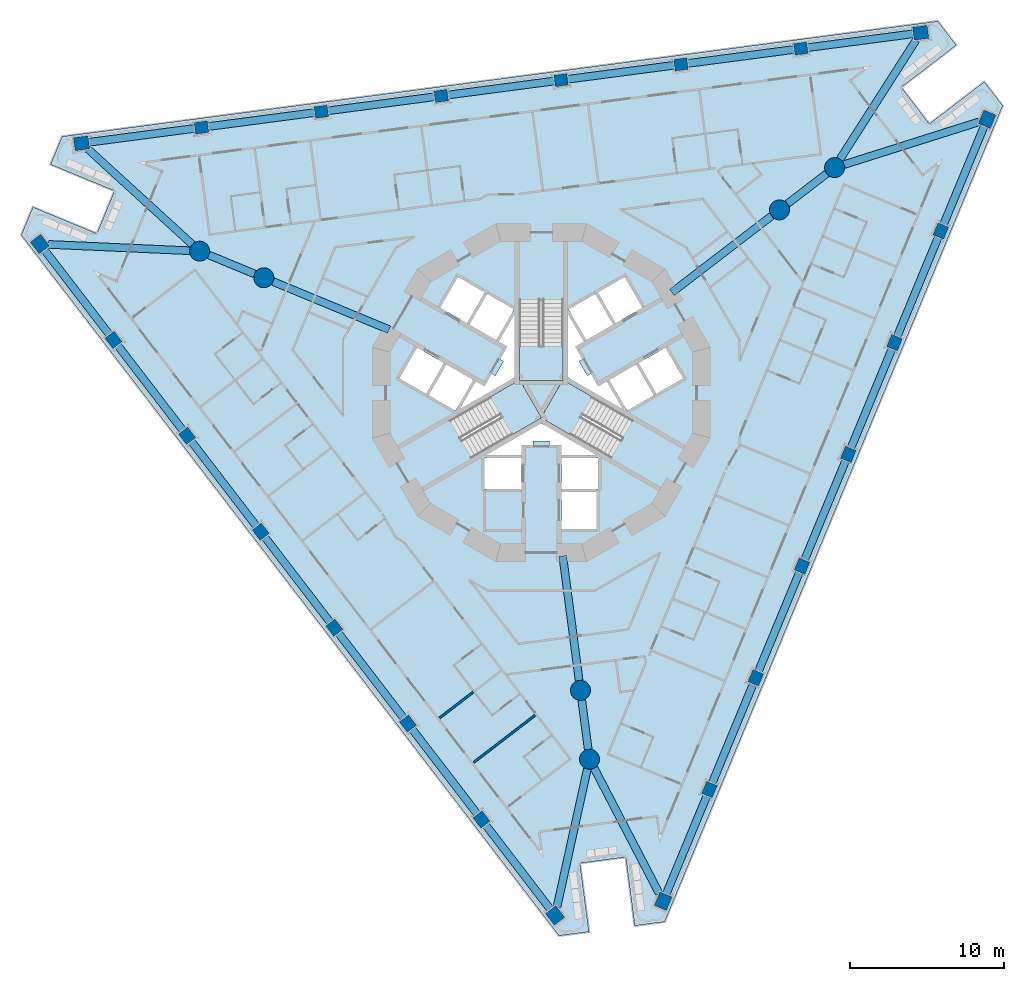
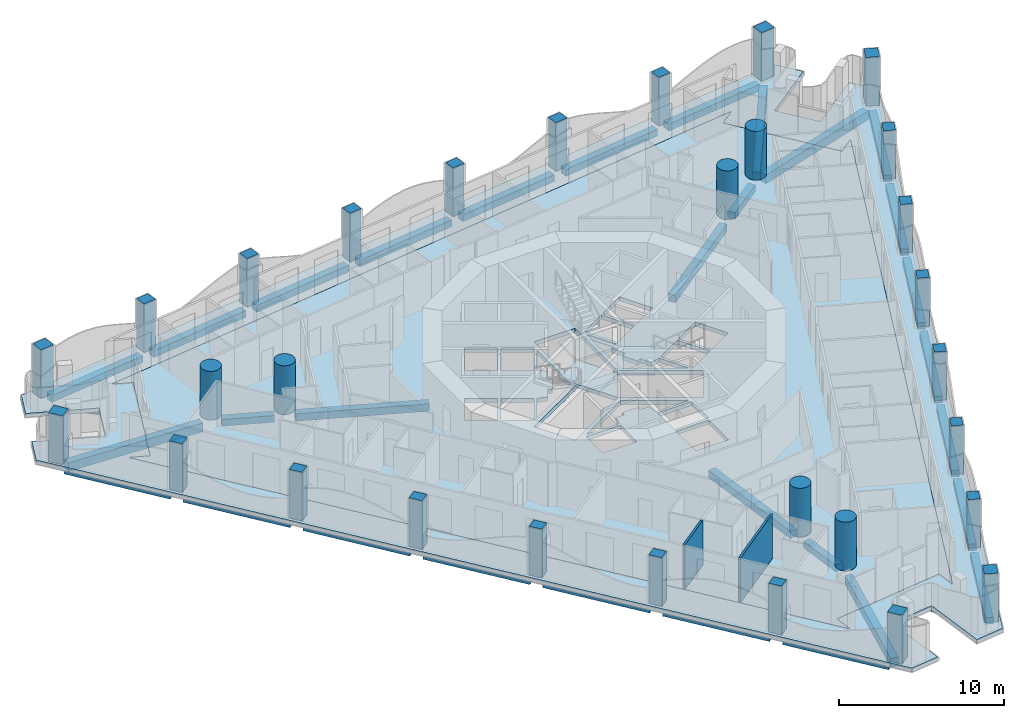
# One storey, part 1 of 19: 33 beams, 30 columns, 6 slabs, 2 walls, 3 elements without a shape of their own.
"""IFC4 building model written with IfcOpenShell, lengths in metres."""

import ifcopenshell
import ifcopenshell.guid

model = None  # the IFC model being written
_history = None  # IfcOwnerHistory: only IFC2X3 demands one
_inside = {}  # id of a spatial element -> (the spatial element, [elements in it])
_under = {}  # id of a project, library or spatial element -> (it, [spatial elements below it])
_declared = {}  # id of a project -> (the project, [libraries it declares])
_typed = {}  # id of a type object -> (the type object, [elements of that type])
_made_of = {}  # id of a material, layer set ... -> (it, [elements and type objects made of it])


def new_model(schema):
    """Start an empty IFC model of exactly this schema.

    Asked for "IFC4X3", IfcOpenShell would pick the latest addendum, in which some entities
    have other attributes; the version numbers below select the first issue.
    IFC2X3 requires an IfcOwnerHistory on every rooted entity: one is made here for all.
    """
    global model, _history
    if schema == "IFC4X3":
        model = ifcopenshell.file(schema_version=(4, 3, 0, 0))
    else:
        model = ifcopenshell.file(schema=schema)
    _inside.clear()
    _under.clear()
    _declared.clear()
    _typed.clear()
    _made_of.clear()
    _history = None
    if model.schema == "IFC2X3":
        org = make("IfcOrganization", Name="unknown")
        user = make(
            "IfcPersonAndOrganization",
            ThePerson=make("IfcPerson", FamilyName="unknown"),
            TheOrganization=org,
        )
        app = make(
            "IfcApplication",
            ApplicationDeveloper=org,
            Version="unknown",
            ApplicationFullName="unknown",
            ApplicationIdentifier="unknown",
        )
        _history = make(
            "IfcOwnerHistory",
            OwningUser=user,
            OwningApplication=app,
            ChangeAction="ADDED",
            CreationDate=0,
        )
    return model


def make(cls, **values):
    """One entity of the class cls with the attributes given. An attribute that is None is left unset."""
    return model.create_entity(
        cls, **{name: value for name, value in values.items() if value is not None}
    )


def rooted(cls, **values):
    """An entity with a GlobalId (a new one), such as an element, a storey or a relation."""
    return make(cls, GlobalId=ifcopenshell.guid.new(), OwnerHistory=_history, **values)


def si_unit(unit_type, name, prefix=None):
    """IfcSIUnit, for example si_unit("LENGTHUNIT", "METRE", prefix="MILLI")."""
    return make("IfcSIUnit", UnitType=unit_type, Prefix=prefix, Name=name)


def assignment(units):
    """IfcUnitAssignment: the units of a project."""
    return None if units is None else make("IfcUnitAssignment", Units=units)


def point(xyz):
    """IfcCartesianPoint."""
    return None if xyz is None else make("IfcCartesianPoint", Coordinates=xyz)


def direction(xyz):
    """IfcDirection."""
    return None if xyz is None else make("IfcDirection", DirectionRatios=xyz)


def frame(location, z_axis=None, x_axis=None):
    """IfcAxis2Placement3D, a coordinate frame: its origin and axes. An axis left out is left unset."""
    return make(
        "IfcAxis2Placement3D",
        Location=point(location),
        Axis=direction(z_axis),
        RefDirection=direction(x_axis),
    )


def frame_2d(location, x_axis=None):
    """IfcAxis2Placement2D, a coordinate frame in the plane: its origin and x axis."""
    return make(
        "IfcAxis2Placement2D", Location=point(location), RefDirection=direction(x_axis)
    )


def origin():
    """The frame at (0, 0, 0) with its axes left unset."""
    return frame((0.0, 0.0, 0.0))


def origin_2d():
    """The frame at (0, 0) in the plane with its x axis left unset."""
    return frame_2d((0.0, 0.0))


def place(relative_to, where):
    """IfcLocalPlacement: puts the frame where relative to a parent placement (None: the world)."""
    return make(
        "IfcLocalPlacement", PlacementRelTo=relative_to, RelativePlacement=where
    )


def context(
    kind, dimensions, precision=None, world=None, true_north=None, identifier=None
):
    """IfcGeometricRepresentationContext, for example the 3D "Model" context."""
    return make(
        "IfcGeometricRepresentationContext",
        ContextIdentifier=identifier,
        ContextType=kind,
        CoordinateSpaceDimension=dimensions,
        Precision=precision,
        WorldCoordinateSystem=world,
        TrueNorth=true_north,
    )


def subcontext(parent, identifier, kind, view, scale=None):
    """IfcGeometricRepresentationSubContext, for example "Body" below "Model"."""
    return make(
        "IfcGeometricRepresentationSubContext",
        ContextIdentifier=identifier,
        ContextType=kind,
        ParentContext=parent,
        TargetScale=scale,
        TargetView=view,
    )


def project(units=None, contexts=None):
    """IfcProject with its units and contexts."""
    return rooted(
        "IfcProject",
        Name="project",
        RepresentationContexts=contexts,
        UnitsInContext=assignment(units),
    )


def spatial(cls, under=None, at=None, **own):
    """A site, building, storey or space (cls), placed at a placement, below another one or the project."""
    s = rooted(cls, ObjectPlacement=at, **own)
    if under is not None:
        _under.setdefault(under.id(), (under, []))[1].append(s)
    return s


def polyline(points):
    """IfcPolyline through the points."""
    return make("IfcPolyline", Points=[point(p) for p in points])


def profile(cls, at=None, kind="AREA", **sizes):
    """A parametric profile (cls). Its sizes go by their IFC names, for example OverallWidth=200.0."""
    return make(cls, ProfileType=kind, Position=at, **sizes)


def rectangle(**sizes):
    """IfcRectangleProfileDef."""
    return profile("IfcRectangleProfileDef", **sizes)


def circle(**sizes):
    """IfcCircleProfileDef."""
    return profile("IfcCircleProfileDef", **sizes)


def outline(outer, holes=None, kind="AREA"):
    """IfcArbitraryClosedProfileDef: a profile drawn as a closed curve; with holes, ...WithVoids."""
    if holes is None:
        return make("IfcArbitraryClosedProfileDef", ProfileType=kind, OuterCurve=outer)
    return make(
        "IfcArbitraryProfileDefWithVoids",
        ProfileType=kind,
        OuterCurve=outer,
        InnerCurves=holes,
    )


def extrude(swept, where, along, depth):
    """IfcExtrudedAreaSolid: the profile swept, set in the frame where, extruded along a direction by depth."""
    return make(
        "IfcExtrudedAreaSolid",
        SweptArea=swept,
        Position=where,
        ExtrudedDirection=direction(along),
        Depth=depth,
    )


def shape(context_of_items, identifier, shape_type, items):
    """IfcShapeRepresentation: the items that make up one representation, for example the "Body"."""
    return make(
        "IfcShapeRepresentation",
        ContextOfItems=context_of_items,
        RepresentationIdentifier=identifier,
        RepresentationType=shape_type,
        Items=items,
    )


def material(Name=None, Category=None):
    """IfcMaterial."""
    return make("IfcMaterial", Name=Name, Category=Category)


def layer(
    of_material, thickness, ventilated=None, Name=None, Category=None, Priority=None
):
    """IfcMaterialLayer: one layer of a wall or slab, of a material (None: an air gap)."""
    return make(
        "IfcMaterialLayer",
        Material=of_material,
        LayerThickness=thickness,
        IsVentilated=ventilated,
        Name=Name,
        Category=Category,
        Priority=Priority,
    )


def layer_set(layers, Name=None):
    """IfcMaterialLayerSet."""
    return make("IfcMaterialLayerSet", MaterialLayers=layers, LayerSetName=Name)


def material_profile(
    of_material, cross_section, Name=None, Category=None, Priority=None
):
    """IfcMaterialProfile: a cross section and its material."""
    return make(
        "IfcMaterialProfile",
        Name=Name,
        Material=of_material,
        Profile=cross_section,
        Priority=Priority,
        Category=Category,
    )


def profile_set(profiles, Name=None, composite=None):
    """IfcMaterialProfileSet."""
    return make(
        "IfcMaterialProfileSet",
        Name=Name,
        MaterialProfiles=profiles,
        CompositeProfile=composite,
    )


def made_of(thing, what):
    """Note that an element or type object is made of a material, layer set ...; save() writes the relation."""
    if what is not None:
        _made_of.setdefault(what.id(), (what, []))[1].append(thing)
    return thing


def type_object(cls, material=None, **own):
    """A type object (cls), such as IfcWallType, which elements share."""
    return made_of(rooted(cls, **own), material)


def element(
    cls,
    number,
    at=None,
    inside=None,
    cuts=None,
    type_object=None,
    material=None,
    context=None,
    identifier="Body",
    shape_type=None,
    held_by="IfcProductDefinitionShape",
    body=None,
    shapes=None,
    **own,
):
    """One element of the class cls, such as IfcWall. Its Tag is "e" and its number.

    at: its placement. inside: the storey or other place that contains it. cuts: it is an
    opening in that element (IfcRelVoidsElement). A single representation is given by context,
    identifier, shape_type and body (its items); several are given by shapes. held_by: the class
    of the entity that holds the representations. save() writes the other relations.
    """
    e = rooted(cls, Tag="e%d" % number, ObjectPlacement=at, **own)
    if body is not None:
        shapes = [shape(context, identifier, shape_type, body)]
    if shapes is not None:
        e.Representation = make(held_by, Representations=shapes)
    if inside is not None:
        _inside.setdefault(inside.id(), (inside, []))[1].append(e)
    if cuts is not None:
        rooted(
            "IfcRelVoidsElement", RelatingBuildingElement=cuts, RelatedOpeningElement=e
        )
    if type_object is not None:
        _typed.setdefault(type_object.id(), (type_object, []))[1].append(e)
    return made_of(e, material)


def aggregate(whole, parts):
    """IfcRelAggregates: a whole, such as a stair, and the parts it consists of."""
    return rooted("IfcRelAggregates", RelatingObject=whole, RelatedObjects=parts)


def save(model, path):
    """Write the relations noted so far, then the file.

    IfcRelAggregates (storeys below a building ...), IfcRelContainedInSpatialStructure (elements
    in a storey), IfcRelDefinesByType, IfcRelAssociatesMaterial and IfcRelDeclares: one each for
    every whole, place, type object, material and project.
    """
    for whole, parts in _under.values():
        aggregate(whole, parts)
    for where, things in _inside.values():
        rooted(
            "IfcRelContainedInSpatialStructure",
            RelatedElements=things,
            RelatingStructure=where,
        )
    for kind, things in _typed.values():
        rooted("IfcRelDefinesByType", RelatedObjects=things, RelatingType=kind)
    for what, things in _made_of.values():
        rooted("IfcRelAssociatesMaterial", RelatedObjects=things, RelatingMaterial=what)
    for by, libraries in _declared.values():
        rooted("IfcRelDeclares", RelatingContext=by, RelatedDefinitions=libraries)
    model.write(path)


model = new_model("IFC4")

# Units and contexts
model_context = context("Model", 3, precision=1e-05, world=origin(), true_north=direction((0.0, 1.0)))
body_context = subcontext(model_context, "Body", "Model", "MODEL_VIEW")
ifc_project = project(units=[si_unit("LENGTHUNIT", "METRE"), si_unit("AREAUNIT", "SQUARE_METRE"), si_unit("VOLUMEUNIT", "CUBIC_METRE"), si_unit("PLANEANGLEUNIT", "RADIAN"), si_unit("MASSUNIT", "GRAM", prefix="KILO")], contexts=[model_context])

# Site, building, storey
site_placement = place(None, origin())
site = spatial("IfcSite", under=ifc_project, at=site_placement, CompositionType="ELEMENT")
building_placement = place(site_placement, origin())
building = spatial("IfcBuilding", under=site, at=building_placement, Name="Trine Commons Tower", CompositionType="ELEMENT")
storey_placement = place(building_placement, frame((0.0, 0.0, 61.199951171875)))
storey = spatial("IfcBuildingStorey", under=building, at=storey_placement, Name="L14", CompositionType="ELEMENT", Elevation=61.199951171875)

# Columns
ifc_material_1 = material(Name="Concrete C80/95", Category="concrete")
ifc_material_profile_1 = material_profile(ifc_material_1, rectangle(XDim=0.85009765625, YDim=0.75, at=origin_2d()), Name="RC 850x750")
ifc_profile_set_1 = profile_set([ifc_material_profile_1], Name="Concrete C80/95")
column_type_1 = type_object("IfcColumnType", Name="RC column 850x750, C80/95", PredefinedType="COLUMN", material=ifc_profile_set_1)
for number, where, z_axis, x_axis, name in (
    (1, (76.1142578125, 34.74853515625, 0.0), (0.0, 0.0, 1.0), (-0.608761429009, 0.793353340291, 0.0), "Column PC2-02 L14"),
    (2, (71.3291015625, 40.984619140625, 0.0), (0.0, 0.0, 1.0), (-0.608761429009, 0.793353340291, 0.0), "Column PC2-03 L14"),
    (3, (66.5439453125, 47.220703125, 0.0), (0.0, 0.0, 1.0), (-0.608761429009, 0.793353340291, 0.0), "Column PC2-04 L14"),
    (4, (61.7587890625, 53.45703125, 0.0), (0.0, 0.0, 1.0), (-0.608761429009, 0.793353340291, 0.0), "Column PC2-05 L14"),
    (5, (56.9736328125, 59.693115234375, 0.0), (0.0, 0.0, 1.0), (-0.608761429009, 0.793353340291, 0.0), "Column PC2-06 L14"),
    (6, (52.1884765625, 65.92919921875, 0.0), (0.0, 0.0, 1.0), (-0.608761429009, 0.793353340291, 0.0), "Column PC2-07 L14"),
    (7, (57.9091796875, 79.740966796875, 0.0), (0.0, 0.0, 1.0), (0.991444861374, 0.13052619222, 0.0), "Column PC2-10 L14"),
    (8, (65.70263671875, 80.766845703125, 0.0), (0.0, 0.0, 1.0), (0.991444861374, 0.13052619222, 0.0), "Column PC2-11 L14"),
    (9, (73.495849609375, 81.79296875, 0.0), (0.0, 0.0, 1.0), (0.991444861374, 0.13052619222, 0.0), "Column PC2-12 L14"),
    (10, (81.2890625, 82.81884765625, 0.0), (0.0, 0.0, 1.0), (0.991444861374, 0.13052619222, 0.0), "Column PC2-13 L14"),
    (11, (89.08251953125, 83.844970703125, 0.0), (0.0, 0.0, 1.0), (0.991444861374, 0.13052619222, 0.0), "Column PC2-14 L14"),
    (12, (96.875732421875, 84.870849609375, 0.0), (0.0, 0.0, 1.0), (0.991444861374, 0.13052619222, 0.0), "Column PC2-15 L14"),
    (13, (105.976318359375, 73.010498046875, 0.0), (0.0, 0.0, 1.0), (0.382683432365, 0.923879532511, 0.0), "Column PC2-18 L14"),
    (14, (102.96826171875, 65.74853515625, 0.0), (0.0, 0.0, 1.0), (0.382683432365, 0.923879532511, 0.0), "Column PC2-19 L14"),
    (15, (99.960205078125, 58.486328125, 0.0), (0.0, 0.0, 1.0), (0.382683432365, 0.923879532511, 0.0), "Column PC2-20 L14"),
    (16, (96.9521484375, 51.22412109375, 0.0), (0.0, 0.0, 1.0), (0.382683432365, 0.923879532511, 0.0), "Column PC2-21 L14"),
    (17, (93.944091796875, 43.9619140625, 0.0), (0.0, 0.0, 1.0), (0.382683432365, 0.923879532511, 0.0), "Column PC2-22 L14"),
    (18, (90.935791015625, 36.69970703125, 0.0), (0.0, 0.0, 1.0), (0.382683432365, 0.923879532511, 0.0), "Column PC2-23 L14"),
):
    element("IfcColumn", number, at=place(storey_placement, frame(where, z_axis=z_axis, x_axis=x_axis)), inside=storey, type_object=column_type_1, Name=name, PredefinedType="COLUMN", context=body_context, shape_type="SweptSolid", body=[
        extrude(rectangle(XDim=0.85009765625, YDim=0.75, at=origin_2d()), origin(), (0.0, 0.0, 1.0), 3.60009765625),
    ])
ifc_material_profile_2 = material_profile(ifc_material_1, rectangle(XDim=0.949951171875, YDim=0.85009765625, at=origin_2d()), Name="RC 950x850")
ifc_profile_set_2 = profile_set([ifc_material_profile_2], Name="Concrete C80/95")
column_type_2 = type_object("IfcColumnType", Name="RC column 950x850, C80/95", PredefinedType="COLUMN", material=ifc_profile_set_2)
for number, where, z_axis, x_axis, name in (
    (19, (80.8994140625, 28.51220703125, 0.0), (0.0, 0.0, 1.0), (-0.608761429009, 0.793353340291, 0.0), "Column PC2-01 L14"),
    (20, (47.4033203125, 72.16552734375, 0.0), (0.0, 0.0, 1.0), (-0.608761429009, 0.793353340291, 0.0), "Column PC2-08 L14"),
    (21, (50.1162109375, 78.71484375, 0.0), (0.0, 0.0, 1.0), (0.991444861374, 0.13052619222, 0.0), "Column PC2-09 L14"),
    (22, (104.6689453125, 85.89697265625, 0.0), (0.0, 0.0, 1.0), (0.991444861374, 0.13052619222, 0.0), "Column PC2-16 L14"),
    (23, (108.984375, 80.272705078125, 0.0), (0.0, 0.0, 1.0), (0.382683432365, 0.923879532511, 0.0), "Column PC2-17 L14"),
    (24, (87.927734375, 29.4375, 0.0), (0.0, 0.0, 1.0), (0.382683432365, 0.923879532511, 0.0), "Column PC2-24 L14"),
):
    element("IfcColumn", number, at=place(storey_placement, frame(where, z_axis=z_axis, x_axis=x_axis)), inside=storey, type_object=column_type_2, Name=name, PredefinedType="COLUMN", context=body_context, shape_type="SweptSolid", body=[
        extrude(rectangle(XDim=0.949951171875, YDim=0.85009765625, at=origin_2d()), origin(), (0.0, 0.0, 1.0), 3.60009765625),
    ])
ifc_material_profile_3 = material_profile(ifc_material_1, circle(Radius=0.64990234375, at=origin_2d()), Name="RC round 1300")
ifc_profile_set_3 = profile_set([ifc_material_profile_3], Name="Concrete C80/95")
column_type_3 = type_object("IfcColumnType", Name="RC round column 1300 mm, C80/95", PredefinedType="COLUMN", material=ifc_profile_set_3)
for number, where, z_axis, x_axis, name in (
    (25, (82.548095703125, 43.14453125, 0.0), (0.0, 0.0, 1.0), (1.0, 0.0, 0.0), "Column WC2-1 L14"),
    (26, (83.1376953125, 38.6669921875, 0.0), (0.0, 0.0, 1.0), (1.0, 0.0, 0.0), "Column WC2-2 L14"),
    (27, (95.48828125, 74.384521484375, 0.0), (0.0, 0.0, 1.0), (1.0, 0.0, 0.0), "Column WC2-3 L14"),
    (28, (99.071044921875, 77.1337890625, 0.0), (0.0, 0.0, 1.0), (1.0, 0.0, 0.0), "Column WC2-4 L14"),
    (29, (61.963623046875, 69.970947265625, 0.0), (0.0, 0.0, 1.0), (1.0, 0.0, 0.0), "Column WC2-5 L14"),
    (30, (57.791259765625, 71.69921875, 0.0), (0.0, 0.0, 1.0), (1.0, 0.0, 0.0), "Column WC2-6 L14"),
):
    element("IfcColumn", number, at=place(storey_placement, frame(where, z_axis=z_axis, x_axis=x_axis)), inside=storey, type_object=column_type_3, Name=name, PredefinedType="COLUMN", context=body_context, shape_type="SweptSolid", body=[
        extrude(circle(Radius=0.64990234375, at=origin_2d()), origin(), (0.0, 0.0, 1.0), 3.60009765625),
    ])

# Beams
ifc_material_2 = material(Name="Concrete C50/60", Category="concrete")
ifc_material_profile_4 = material_profile(ifc_material_2, rectangle(XDim=0.5, YDim=0.5, at=origin_2d()), Name="RC 500x500")
ifc_profile_set_4 = profile_set([ifc_material_profile_4], Name="Concrete C50/60")
beam_type_1 = type_object("IfcBeamType", Name="RC beam 500x500, C50/60", PredefinedType="BEAM", material=ifc_profile_set_4)
beam_1_placement = place(storey_placement, frame((80.6103515625, 28.88916015625, -0.550048828125), z_axis=(-0.608757694977, 0.793356205501, 0.0), x_axis=(-0.793356205501, -0.608757694977, 0.0)))
element("IfcBeam", 31, at=beam_1_placement, inside=storey, type_object=beam_type_1, Name="Beam EB2-01 L14", PredefinedType="BEAM", context=body_context, shape_type="SweptSolid", body=[
    extrude(rectangle(XDim=0.5, YDim=0.5, at=origin_2d()), origin(), (0.0, 0.0, 1.0), 6.960693359375),
])
beam_2_placement = place(storey_placement, frame((75.855712890625, 35.085693359375, -0.550048828125), z_axis=(-0.608772912064, 0.793344528901, 0.0), x_axis=(-0.793344528901, -0.608772912064, 0.0)))
element("IfcBeam", 32, at=beam_2_placement, inside=storey, type_object=beam_type_1, Name="Beam EB2-02 L14", PredefinedType="BEAM", context=body_context, shape_type="SweptSolid", body=[
    extrude(rectangle(XDim=0.5, YDim=0.5, at=origin_2d()), origin(), (0.0, 0.0, 1.0), 7.010498046875),
])
beam_3_placement = place(storey_placement, frame((71.0703125, 41.322021484375, -0.550048828125), z_axis=(-0.608767812441, 0.793348442071, 0.0), x_axis=(-0.793348442071, -0.608767812441, 0.0)))
element("IfcBeam", 33, at=beam_3_placement, inside=storey, type_object=beam_type_1, Name="Beam EB2-03 L14", PredefinedType="BEAM", context=body_context, shape_type="SweptSolid", body=[
    extrude(rectangle(XDim=0.5, YDim=0.5, at=origin_2d()), origin(), (0.0, 0.0, 1.0), 7.01025390625),
])
for number, where, z_axis, x_axis, name in (
    (34, (66.285400390625, 47.55810546875, -0.550048828125), (-0.608772912064, 0.793344528901, 0.0), (-0.793344528901, -0.608772912064, 0.0), "Beam EB2-04 L14"),
    (35, (61.5, 53.794189453125, -0.550048828125), (-0.608750992772, 0.793361348188, 0.0), (-0.793361348188, -0.608750992772, 0.0), "Beam EB2-05 L14"),
):
    element("IfcBeam", number, at=place(storey_placement, frame(where, z_axis=z_axis, x_axis=x_axis)), inside=storey, type_object=beam_type_1, Name=name, PredefinedType="BEAM", context=body_context, shape_type="SweptSolid", body=[
        extrude(rectangle(XDim=0.5, YDim=0.5, at=origin_2d()), origin(), (0.0, 0.0, 1.0), 7.010498046875),
    ])
beam_4_placement = place(storey_placement, frame((56.71484375, 60.030517578125, -0.550048828125), z_axis=(-0.608789731625, 0.793331622128, 0.0), x_axis=(-0.793331622128, -0.608789731625, 0.0)))
element("IfcBeam", 36, at=beam_4_placement, inside=storey, type_object=beam_type_1, Name="Beam EB2-06 L14", PredefinedType="BEAM", context=body_context, shape_type="SweptSolid", body=[
    extrude(rectangle(XDim=0.5, YDim=0.5, at=origin_2d()), origin(), (0.0, 0.0, 1.0), 7.01025390625),
])
beam_5_placement = place(storey_placement, frame((51.9296875, 66.2666015625, -0.550048828125), z_axis=(-0.608757694977, 0.793356205501, 0.0), x_axis=(-0.793356205501, -0.608757694977, 0.0)))
element("IfcBeam", 37, at=beam_5_placement, inside=storey, type_object=beam_type_1, Name="Beam EB2-07 L14", PredefinedType="BEAM", context=body_context, shape_type="SweptSolid", body=[
    extrude(rectangle(XDim=0.5, YDim=0.5, at=origin_2d()), origin(), (0.0, 0.0, 1.0), 6.960693359375),
])
beam_6_placement = place(storey_placement, frame((50.5869140625, 78.77685546875, -0.550048828125), z_axis=(0.991446175382, 0.130516210946, 0.0), x_axis=(-0.130516210946, 0.991446175382, 0.0)))
element("IfcBeam", 38, at=beam_6_placement, inside=storey, type_object=beam_type_1, Name="Beam EB2-08 L14", PredefinedType="BEAM", context=body_context, shape_type="SweptSolid", body=[
    extrude(rectangle(XDim=0.5, YDim=0.5, at=origin_2d()), origin(), (0.0, 0.0, 1.0), 6.96044921875),
])
for number, where, z_axis, x_axis, name in (
    (39, (58.330810546875, 79.79638671875, -0.550048828125), (0.991444928767, 0.13052568032, 0.0), (-0.13052568032, 0.991444928767, 0.0), "Beam EB2-09 L14"),
    (40, (66.1240234375, 80.822509765625, -0.550048828125), (0.99144943492, 0.130491447984, 0.0), (-0.130491447984, 0.99144943492, 0.0), "Beam EB2-10 L14"),
    (41, (73.917236328125, 81.848388671875, -0.550048828125), (0.991444928767, 0.13052568032, 0.0), (-0.13052568032, 0.991444928767, 0.0), "Beam EB2-11 L14"),
    (42, (81.71044921875, 82.87451171875, -0.550048828125), (0.99144943492, 0.130491447984, 0.0), (-0.130491447984, 0.99144943492, 0.0), "Beam EB2-12 L14"),
    (43, (89.50390625, 83.900390625, -0.550048828125), (0.991444928767, 0.13052568032, 0.0), (-0.13052568032, 0.991444928767, 0.0), "Beam EB2-13 L14"),
):
    element("IfcBeam", number, at=place(storey_placement, frame(where, z_axis=z_axis, x_axis=x_axis)), inside=storey, type_object=beam_type_1, Name=name, PredefinedType="BEAM", context=body_context, shape_type="SweptSolid", body=[
        extrude(rectangle(XDim=0.5, YDim=0.5, at=origin_2d()), origin(), (0.0, 0.0, 1.0), 7.010498046875),
    ])
for number, where, z_axis, x_axis, name in (
    (44, (97.297119140625, 84.926513671875, -0.550048828125), (0.991446175382, 0.130516210946, 0.0), (-0.130516210946, 0.991446175382, 0.0), "Beam EB2-14 L14"),
    (45, (108.802490234375, 79.833984375, -0.550048828125), (-0.382671898974, -0.923884309714, 0.0), (0.923884309714, -0.382671898974, 0.0), "Beam EB2-15 L14"),
):
    element("IfcBeam", number, at=place(storey_placement, frame(where, z_axis=z_axis, x_axis=x_axis)), inside=storey, type_object=beam_type_1, Name=name, PredefinedType="BEAM", context=body_context, shape_type="SweptSolid", body=[
        extrude(rectangle(XDim=0.5, YDim=0.5, at=origin_2d()), origin(), (0.0, 0.0, 1.0), 6.96044921875),
    ])
beam_7_placement = place(storey_placement, frame((105.813720703125, 72.617919921875, -0.550048828125), z_axis=(-0.382693194178, -0.923875488976, 0.0), x_axis=(0.923875488976, -0.382693194178, 0.0)))
element("IfcBeam", 46, at=beam_7_placement, inside=storey, type_object=beam_type_1, Name="Beam EB2-16 L14", PredefinedType="BEAM", context=body_context, shape_type="SweptSolid", body=[
    extrude(rectangle(XDim=0.5, YDim=0.5, at=origin_2d()), origin(), (0.0, 0.0, 1.0), 7.010498046875),
])
for number, where, z_axis, x_axis, name in (
    (47, (102.8056640625, 65.35595703125, -0.550048828125), (-0.382680881742, -0.92388058901, 0.0), (0.92388058901, -0.382680881742, 0.0), "Beam EB2-17 L14"),
    (48, (99.797607421875, 58.09375, -0.550048828125), (-0.382680881742, -0.92388058901, 0.0), (0.92388058901, -0.382680881742, 0.0), "Beam EB2-18 L14"),
    (49, (96.78955078125, 50.83154296875, -0.550048828125), (-0.382680881742, -0.92388058901, 0.0), (0.92388058901, -0.382680881742, 0.0), "Beam EB2-19 L14"),
    (50, (93.781494140625, 43.5693359375, -0.550048828125), (-0.382710605355, -0.923868276622, 0.0), (0.923868276622, -0.382710605355, 0.0), "Beam EB2-20 L14"),
):
    element("IfcBeam", number, at=place(storey_placement, frame(where, z_axis=z_axis, x_axis=x_axis)), inside=storey, type_object=beam_type_1, Name=name, PredefinedType="BEAM", context=body_context, shape_type="SweptSolid", body=[
        extrude(rectangle(XDim=0.5, YDim=0.5, at=origin_2d()), origin(), (0.0, 0.0, 1.0), 7.0107421875),
    ])
beam_8_placement = place(storey_placement, frame((90.773193359375, 36.30712890625, -0.550048828125), z_axis=(-0.382671898974, -0.923884309714, 0.0), x_axis=(0.923884309714, -0.382671898974, 0.0)))
element("IfcBeam", 51, at=beam_8_placement, inside=storey, type_object=beam_type_1, Name="Beam EB2-21 L14", PredefinedType="BEAM", context=body_context, shape_type="SweptSolid", body=[
    extrude(rectangle(XDim=0.5, YDim=0.5, at=origin_2d()), origin(), (0.0, 0.0, 1.0), 6.96044921875),
])
beam_9_placement = place(storey_placement, frame((82.633056640625, 42.500732421875, -0.550048828125), z_axis=(0.130513398023, -0.991446545678, 0.0), x_axis=(0.991446545678, 0.130513398023, 0.0)))
element("IfcBeam", 52, at=beam_9_placement, inside=storey, type_object=beam_type_1, Name="Beam RB2-02 L14", PredefinedType="BEAM", context=body_context, shape_type="SweptSolid", body=[
    extrude(rectangle(XDim=0.5, YDim=0.5, at=origin_2d()), origin(), (0.0, 0.0, 1.0), 3.217529296875),
])
beam_10_placement = place(storey_placement, frame((96.00341796875, 74.77978515625, -0.550048828125), z_axis=(0.793368133848, 0.608742149185, 0.0), x_axis=(-0.608742149185, 0.793368133848, 0.0)))
element("IfcBeam", 53, at=beam_10_placement, inside=storey, type_object=beam_type_1, Name="Beam RB2-04 L14", PredefinedType="BEAM", context=body_context, shape_type="SweptSolid", body=[
    extrude(rectangle(XDim=0.5, YDim=0.5, at=origin_2d()), origin(), (0.0, 0.0, 1.0), 3.21728515625),
])
beam_11_placement = place(storey_placement, frame((61.363037109375, 70.2197265625, -0.550048828125), z_axis=(-0.923878970326, 0.382684789598, 0.0), x_axis=(-0.382684789598, -0.923878970326, 0.0)))
element("IfcBeam", 54, at=beam_11_placement, inside=storey, type_object=beam_type_1, Name="Beam RB2-06 L14", PredefinedType="BEAM", context=body_context, shape_type="SweptSolid", body=[
    extrude(rectangle(XDim=0.5, YDim=0.5, at=origin_2d()), origin(), (0.0, 0.0, 1.0), 3.216064453125),
])
ifc_material_profile_5 = material_profile(ifc_material_2, rectangle(XDim=0.5, YDim=0.550048828125, at=origin_2d()), Name="RC 500x550")
ifc_profile_set_5 = profile_set([ifc_material_profile_5], Name="Concrete C50/60")
beam_type_2 = type_object("IfcBeamType", Name="RC beam 500x550, C50/60", PredefinedType="BEAM", material=ifc_profile_set_5)
for number, where, z_axis, x_axis, name in (
    (55, (81.3974609375, 51.885009765625, -0.574951171875), (0.13051869661, -0.991445848161, 0.0), (0.991445848161, 0.13051869661, 0.0), "Beam RB2-01 L14"),
    (56, (88.494140625, 69.017578125, -0.574951171875), (0.79334357443, 0.608774155916, 0.0), (-0.608774155916, 0.79334357443, 0.0), "Beam RB2-03 L14"),
):
    element("IfcBeam", number, at=place(storey_placement, frame(where, z_axis=z_axis, x_axis=x_axis)), inside=storey, type_object=beam_type_2, Name=name, PredefinedType="BEAM", context=body_context, shape_type="SweptSolid", body=[
        extrude(rectangle(XDim=0.5, YDim=0.550048828125, at=origin_2d()), origin(), (0.0, 0.0, 1.0), 8.166748046875),
    ])
beam_12_placement = place(storey_placement, frame((70.1083984375, 66.59716796875, -0.574951171875), z_axis=(-0.923875444746, 0.382693300953, 0.0), x_axis=(-0.382693300953, -0.923875444746, 0.0)))
element("IfcBeam", 57, at=beam_12_placement, inside=storey, type_object=beam_type_2, Name="Beam RB2-05 L14", PredefinedType="BEAM", context=body_context, shape_type="SweptSolid", body=[
    extrude(rectangle(XDim=0.5, YDim=0.550048828125, at=origin_2d()), origin(), (0.0, 0.0, 1.0), 8.165771484375),
])
ifc_material_profile_6 = material_profile(ifc_material_2, rectangle(XDim=0.5, YDim=0.64990234375, at=origin_2d()), Name="RC 500x650")
ifc_profile_set_6 = profile_set([ifc_material_profile_6], Name="Concrete C50/60")
beam_type_3 = type_object("IfcBeamType", Name="RC beam 500x650, C50/60", PredefinedType="BEAM", material=ifc_profile_set_6)
for number, where, z_axis, x_axis, name in (
    (58, (47.9580078125, 72.140625, -0.625), (0.998993680757, -0.044851151696, 0.0), (0.044851151696, 0.998993680757, 0.0), "Beam CB2-01 L14"),
    (59, (50.52587890625, 78.340087890625, -0.625), (0.738114574549, -0.674675384788, 0.0), (0.674675384788, 0.738114574549, 0.0), "Beam CB2-02 L14"),
    (60, (104.369873046875, 85.428955078125, -0.625), (-0.538318035677, -0.842741770927, 0.0), (0.842741770927, -0.538318035677, 0.0), "Beam CB2-03 L14"),
):
    element("IfcBeam", number, at=place(storey_placement, frame(where, z_axis=z_axis, x_axis=x_axis)), inside=storey, type_object=beam_type_3, Name=name, PredefinedType="BEAM", context=body_context, shape_type="SweptSolid", body=[
        extrude(rectangle(XDim=0.5, YDim=0.64990234375, at=origin_2d()), origin(), (0.0, 0.0, 1.0), 9.19384765625),
    ])
beam_13_placement = place(storey_placement, frame((108.454833984375, 80.10498046875, -0.625), z_axis=(-0.953349995529, -0.301867166193, 0.0), x_axis=(0.301867166193, -0.953349995529, 0.0)))
element("IfcBeam", 61, at=beam_13_placement, inside=storey, type_object=beam_type_3, Name="Beam CB2-04 L14", PredefinedType="BEAM", context=body_context, shape_type="SweptSolid", body=[
    extrude(rectangle(XDim=0.5, YDim=0.64990234375, at=origin_2d()), origin(), (0.0, 0.0, 1.0), 9.193359375),
])
for number, where, z_axis, x_axis, name in (
    (62, (87.672119140625, 29.930419921875, -0.625), (-0.460652760363, 0.887580438253, 0.0), (-0.887580438253, -0.460652760363, 0.0), "Beam CB2-05 L14"),
    (63, (81.01904296875, 29.0546875, -0.625), (0.215234621965, 0.976562367444, 0.0), (-0.976562367444, 0.215234621965, 0.0), "Beam CB2-06 L14"),
):
    element("IfcBeam", number, at=place(storey_placement, frame(where, z_axis=z_axis, x_axis=x_axis)), inside=storey, type_object=beam_type_3, Name=name, PredefinedType="BEAM", context=body_context, shape_type="SweptSolid", body=[
        extrude(rectangle(XDim=0.5, YDim=0.64990234375, at=origin_2d()), origin(), (0.0, 0.0, 1.0), 9.193603515625),
    ])

# Slabs
ifc_layer_1 = layer(ifc_material_2, 0.300048828125)
ifc_layer_set_1 = layer_set([ifc_layer_1], Name="Concrete C50/60")
slab_type_1 = type_object("IfcSlabType", Name="Loggia slab 300 mm, C50/60", PredefinedType="FLOOR", material=ifc_layer_set_1)
slab_1_placement = place(storey_placement, frame((0.0, 0.0, -0.300048828125)))
element("IfcSlab", 64, at=slab_1_placement, inside=storey, type_object=slab_type_1, Name="Loggia slab L14", PredefinedType="FLOOR", context=body_context, shape_type="SweptSolid", body=[
    extrude(outline(polyline([(88.02294921875, 28.099365234375), (109.998046875, 81.15185546875), (108.80224609375, 82.710205078125), (105.232177734375, 79.970703125), (103.406005859375, 82.3505859375), (106.97607421875, 85.090087890625), (105.780517578125, 86.6484375), (48.847900390625, 79.153076171875), (48.096435546875, 77.33837890625), (52.25390625, 75.616455078125), (51.105712890625, 72.8447265625), (46.948486328125, 74.56689453125), (46.19677734375, 72.752197265625), (81.154052734375, 27.195068359375), (83.101318359375, 27.451416015625), (82.513916015625, 31.912841796875), (85.48828125, 32.304443359375), (86.07568359375, 27.843017578125), (88.02294921875, 28.099365234375)]), holes=[polyline([(79.99658203125, 32.6455078125), (79.8212890625, 33.97900390625), (87.554443359375, 34.997314453125), (87.72998046875, 33.663818359375), (105.856201171875, 77.42431640625), (104.789306640625, 76.605712890625), (100.041015625, 82.793701171875), (101.10791015625, 83.612548828125), (54.14697265625, 77.429931640625), (55.3896484375, 76.915283203125), (52.40478515625, 69.708984375), (51.162109375, 70.2236328125), (79.99658203125, 32.6455078125)])]), origin(), (0.0, 0.0, 1.0), 0.300048828125),
])
ifc_layer_2 = layer(ifc_material_2, 0.300048828125)
ifc_layer_set_2 = layer_set([ifc_layer_2], Name="Concrete C50/60")
slab_type_2 = type_object("IfcSlabType", Name="PT flat slab 300 mm, C50/60", PredefinedType="FLOOR", material=ifc_layer_set_2)
slab_2_placement = place(storey_placement, frame((0.0, 0.0, -0.300048828125)))
element("IfcSlab", 65, at=slab_2_placement, inside=storey, type_object=slab_type_2, Name="Floor slab L14", PredefinedType="FLOOR", context=body_context, shape_type="SweptSolid", body=[
    extrude(outline(polyline([(51.162109375, 70.2236328125), (79.99658203125, 32.6455078125), (79.8212890625, 33.97900390625), (87.554443359375, 34.997314453125), (87.72998046875, 33.663818359375), (105.856201171875, 77.42431640625), (104.789306640625, 76.605712890625), (100.041015625, 82.793701171875), (101.10791015625, 83.612548828125), (54.14697265625, 77.429931640625), (55.3896484375, 76.915283203125), (52.40478515625, 69.708984375), (51.162109375, 70.2236328125)]), holes=[polyline([(76.300048828125, 56.25), (78.699951171875, 56.25), (78.699951171875, 58.25), (76.300048828125, 58.25), (76.300048828125, 56.25)]), polyline([(81.14990234375, 59.10009765625), (81.300048828125, 58.449951171875), (83.56494140625, 58.449951171875), (80.0, 60.508056640625), (76.43505859375, 58.449951171875), (78.699951171875, 58.449951171875), (78.85009765625, 59.10009765625), (79.449951171875, 59.10009765625), (79.449951171875, 59.360107421875), (80.550048828125, 59.360107421875), (80.550048828125, 59.10009765625), (81.14990234375, 59.10009765625)]), polyline([(80.0, 60.8544921875), (84.4755859375, 58.2705078125), (85.900390625, 60.73876953125), (81.425048828125, 63.32275390625), (81.425048828125, 68.490478515625), (78.574951171875, 68.490478515625), (78.574951171875, 63.32275390625), (74.099609375, 60.73876953125), (75.5244140625, 58.2705078125), (80.0, 60.8544921875)]), polyline([(73.83740234375, 64.325927734375), (72.687255859375, 62.333984375), (74.41943359375, 61.333984375), (75.5693359375, 63.325927734375), (73.83740234375, 64.325927734375)]), polyline([(71.93212890625, 65.426025390625), (70.781982421875, 63.43408203125), (72.51416015625, 62.43408203125), (73.6640625, 64.426025390625), (71.93212890625, 65.426025390625)]), polyline([(76.781005859375, 63.722900390625), (76.381103515625, 63.031005859375), (75.742919921875, 63.22607421875), (74.7099609375, 61.43798828125), (78.27490234375, 63.49609375), (78.27490234375, 67.612060546875), (77.242919921875, 65.823974609375), (77.73095703125, 65.368896484375), (77.3310546875, 64.676025390625), (77.555908203125, 64.5458984375), (77.006103515625, 63.593994140625), (76.781005859375, 63.722900390625)]), polyline([(76.4873046875, 68.916015625), (75.33740234375, 66.924072265625), (77.0693359375, 65.924072265625), (78.219482421875, 67.916015625), (76.4873046875, 68.916015625)]), polyline([(74.58203125, 70.015869140625), (73.43212890625, 68.02392578125), (75.1640625, 67.02392578125), (76.314208984375, 69.015869140625), (74.58203125, 70.015869140625)]), polyline([(81.300048828125, 53.64990234375), (83.60009765625, 53.64990234375), (83.60009765625, 56.050048828125), (81.300048828125, 56.050048828125), (81.300048828125, 53.64990234375)]), polyline([(81.300048828125, 56.25), (83.699951171875, 56.25), (83.699951171875, 58.25), (81.300048828125, 58.25), (81.300048828125, 56.25)]), polyline([(87.312744140625, 62.333984375), (86.16259765625, 64.325927734375), (84.4306640625, 63.325927734375), (85.58056640625, 61.333984375), (87.312744140625, 62.333984375)]), polyline([(89.218017578125, 63.43408203125), (88.06787109375, 65.426025390625), (86.3359375, 64.426025390625), (87.48583984375, 62.43408203125), (89.218017578125, 63.43408203125)]), polyline([(83.243896484375, 63.738037109375), (82.993896484375, 63.593994140625), (82.444091796875, 64.5458984375), (82.72705078125, 64.7099609375), (82.281005859375, 65.549072265625), (82.757080078125, 65.823974609375), (81.72509765625, 67.612060546875), (81.72509765625, 63.49609375), (85.2900390625, 61.43798828125), (84.257080078125, 63.22607421875), (83.618896484375, 63.031005859375), (83.243896484375, 63.738037109375)]), polyline([(82.9306640625, 65.924072265625), (84.66259765625, 66.924072265625), (83.5126953125, 68.916015625), (81.780517578125, 67.916015625), (82.9306640625, 65.924072265625)]), polyline([(84.8359375, 67.02392578125), (86.56787109375, 68.02392578125), (85.41796875, 70.015869140625), (83.685791015625, 69.015869140625), (84.8359375, 67.02392578125)])]), origin(), (0.0, 0.0, 1.0), 0.300048828125),
])
slab_3_placement = place(storey_placement, frame((0.0, 0.0, -0.300048828125)))
element("IfcSlab", 66, at=slab_3_placement, inside=storey, type_object=slab_type_2, Name="Floor slab L14 2", PredefinedType="FLOOR", context=body_context, shape_type="SweptSolid", body=[
    extrude(outline(polyline([(78.61328125, 63.300537109375), (80.0, 60.89892578125), (81.38671875, 63.300537109375), (78.61328125, 63.300537109375)])), origin(), (0.0, 0.0, 1.0), 0.300048828125),
])

# Stair, slab
stair_type = type_object("IfcStairType", Name="Exit stair, dog-leg, 24 risers of 150 mm", PredefinedType="HALF_TURN_STAIR", material=ifc_material_2)
stair_1_placement = place(storey_placement, origin())
stair_1 = element("IfcStair", 67, at=stair_1_placement, inside=storey, type_object=stair_type, Name="L14 Exit stair ST1A", PredefinedType="HALF_TURN_STAIR")
ifc_layer_3 = layer(ifc_material_2, 0.199951171875)
ifc_layer_set_3 = layer_set([ifc_layer_3], Name="Concrete C50/60")
slab_type_3 = type_object("IfcSlabType", Name="Stair landing slab 200 mm, C50/60", PredefinedType="LANDING", material=ifc_layer_set_3)
slab_4_placement = place(storey_placement, frame((0.0, 0.0, 1.60009765625)))
slab_4 = element("IfcSlab", 68, at=slab_4_placement, type_object=slab_type_3, Name="ST1A landing 1", PredefinedType="LANDING", context=body_context, shape_type="SweptSolid", body=[
    extrude(outline(polyline([(78.574951171875, 65.570556640625), (78.574951171875, 63.300537109375), (81.425048828125, 63.300537109375), (81.425048828125, 65.570556640625), (78.574951171875, 65.570556640625)])), origin(), (0.0, 0.0, 1.0), 0.199951171875),
])
aggregate(stair_1, [slab_4])

stair_2_placement = place(storey_placement, origin())
stair_2 = element("IfcStair", 69, at=stair_2_placement, inside=storey, type_object=stair_type, Name="L14 Exit stair ST2A", PredefinedType="HALF_TURN_STAIR")
slab_5_placement = place(storey_placement, frame((0.0, 0.0, 1.60009765625)))
slab_5 = element("IfcSlab", 70, at=slab_5_placement, type_object=slab_type_3, Name="ST2A landing 1", PredefinedType="LANDING", context=body_context, shape_type="SweptSolid", body=[
    extrude(outline(polyline([(78.05322265625, 59.730712890625), (80.019287109375, 60.86572265625), (78.59423828125, 63.333740234375), (76.628173828125, 62.19873046875), (78.05322265625, 59.730712890625)])), origin(), (0.0, 0.0, 1.0), 0.199951171875),
])
aggregate(stair_2, [slab_5])

stair_3_placement = place(storey_placement, origin())
stair_3 = element("IfcStair", 71, at=stair_3_placement, inside=storey, type_object=stair_type, Name="L14 Exit stair ST3A", PredefinedType="HALF_TURN_STAIR")
slab_6_placement = place(storey_placement, frame((0.0, 0.0, 1.60009765625)))
slab_6 = element("IfcSlab", 72, at=slab_6_placement, type_object=slab_type_3, Name="ST3A landing 1", PredefinedType="LANDING", context=body_context, shape_type="SweptSolid", body=[
    extrude(outline(polyline([(83.371826171875, 62.19873046875), (81.40576171875, 63.333740234375), (79.980712890625, 60.86572265625), (81.94677734375, 59.730712890625), (83.371826171875, 62.19873046875)])), origin(), (0.0, 0.0, 1.0), 0.199951171875),
])
aggregate(stair_3, [slab_6])

# Walls
ifc_material_3 = material(Name="Gypsum plasterboard on steel stud", Category="steel")
ifc_layer_4 = layer(ifc_material_3, 0.14990234375)
ifc_layer_set_4 = layer_set([ifc_layer_4], Name="Gypsum plasterboard on steel stud")
wall_type = type_object("IfcWallType", Name="Unit and corridor wall 150 mm, EI 60", PredefinedType="PARTITIONING", material=ifc_layer_set_4)
wall_1_placement = place(storey_placement, frame((73.373779296875, 41.34228515625, 0.0), z_axis=(0.0, 0.0, 1.0), x_axis=(0.793579594979, 0.608466454648, 0.0)))
element("IfcWall", 73, at=wall_1_placement, inside=storey, type_object=wall_type, Name="Partition 060", PredefinedType="PARTITIONING", context=body_context, shape_type="SweptSolid", body=[
    extrude(rectangle(XDim=2.789306640625, YDim=0.14990234375, at=frame_2d((1.39453125, 0.0))), origin(), (0.0, 0.0, 1.0), 3.300048828125),
])
wall_2_placement = place(storey_placement, frame((75.5927734375, 38.451416015625, 0.0), z_axis=(0.0, 0.0, 1.0), x_axis=(0.793302827183, 0.608827253318, 0.0)))
element("IfcWall", 74, at=wall_2_placement, inside=storey, type_object=wall_type, Name="Partition 067", PredefinedType="PARTITIONING", context=body_context, shape_type="SweptSolid", body=[
    extrude(rectangle(XDim=5.0634765625, YDim=0.14990234375, at=frame_2d((2.53173828125, 0.0))), origin(), (0.0, 0.0, 1.0), 3.300048828125),
])

save(model, "model.ifc")
